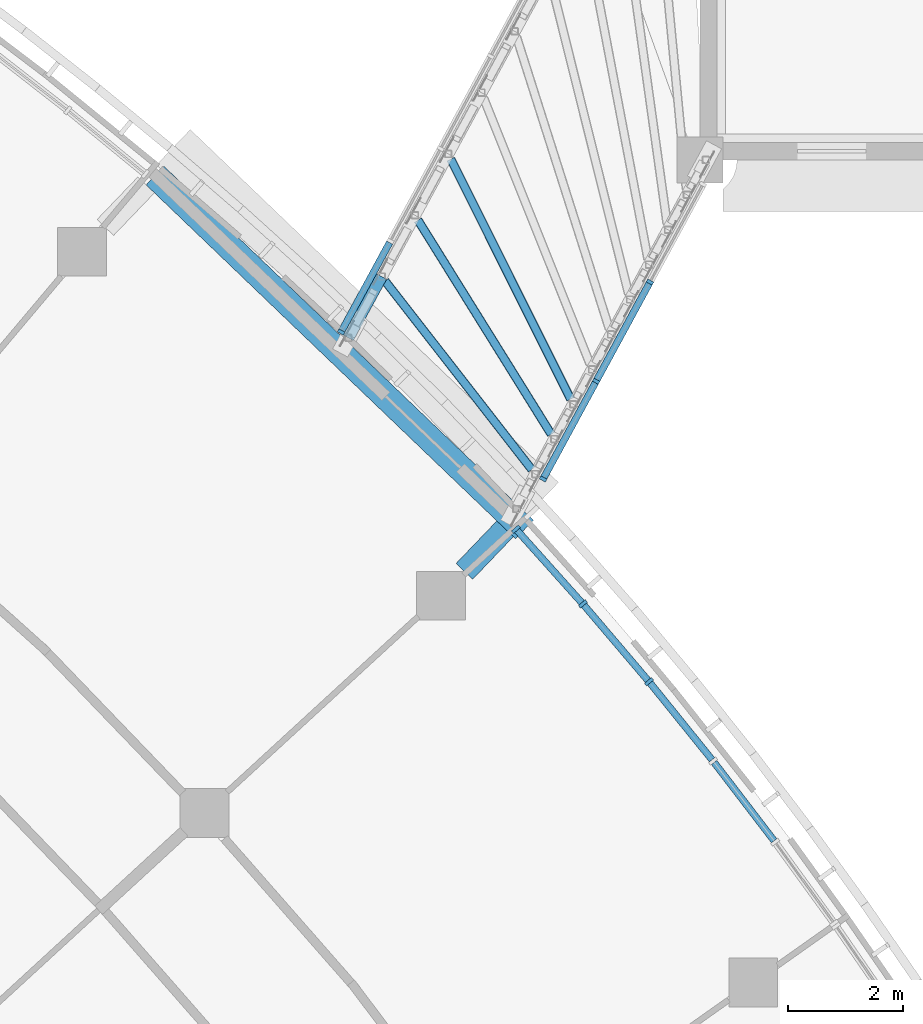
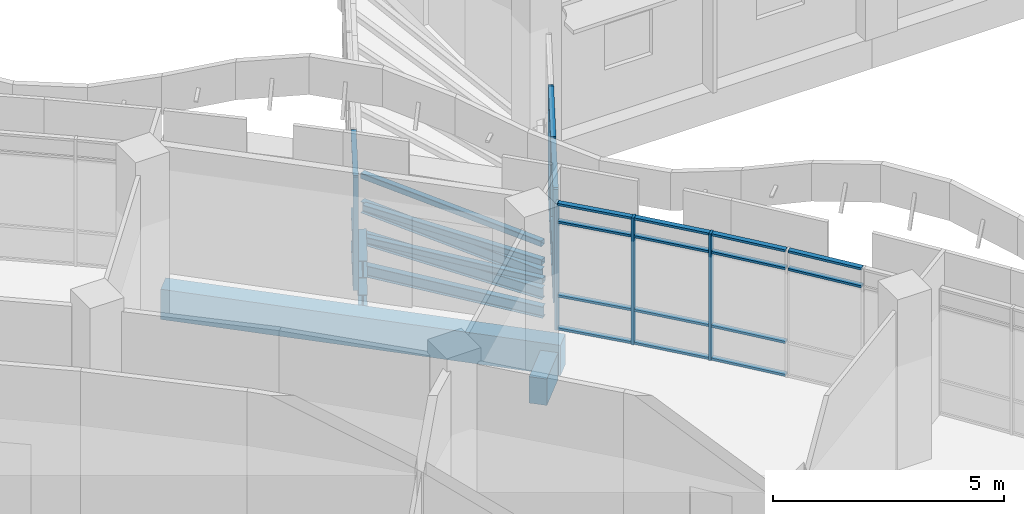
# One storey, part 32 of 136: 38 members, 2 beams, 3 elements without a shape of their own.
"""IFC4 building model written with IfcOpenShell, lengths in metres."""

from ifc_helpers import new_model, si_unit, direction, frame, origin, origin_2d, place, context, subcontext, project, spatial, rectangle, hollow_rectangle, i_section, extrude, material, material_profile, profile_set, type_object, element, aggregate, save


model = new_model("IFC4")

# Units and contexts
model_context = context("Model", 3, precision=1e-05, world=origin(), true_north=direction((0.0, 1.0)))
body_context = subcontext(model_context, "Body", "Model", "MODEL_VIEW")
ifc_project = project(units=[si_unit("LENGTHUNIT", "METRE"), si_unit("AREAUNIT", "SQUARE_METRE"), si_unit("VOLUMEUNIT", "CUBIC_METRE"), si_unit("PLANEANGLEUNIT", "RADIAN"), si_unit("MASSUNIT", "GRAM", prefix="KILO")], contexts=[model_context])

# Site, building, storey
site_placement = place(None, origin())
site = spatial("IfcSite", under=ifc_project, at=site_placement, CompositionType="ELEMENT")
building_placement = place(site_placement, origin())
building = spatial("IfcBuilding", under=site, at=building_placement, Name="Bougainvillea Quay General Hospital", CompositionType="ELEMENT")
storey_placement = place(building_placement, frame((0.0, 0.0, 5.39990234375)))
storey = spatial("IfcBuildingStorey", under=building, at=storey_placement, Name="L01", CompositionType="ELEMENT", Elevation=5.39990234375)

# Curtain wall, member
ifc_material_1 = material(Name="Aluminium curtain wall system, powder-coated glazed", Category="aluminium")
curtain_wall_type = type_object("IfcCurtainWallType", Name="Unitised curtain wall CW-2100", PredefinedType="NOTDEFINED", material=ifc_material_1)
curtain_wall_1_placement = place(storey_placement, origin())
curtain_wall_1 = element("IfcCurtainWall", 1, at=curtain_wall_1_placement, inside=storey, type_object=curtain_wall_type, Name="BG-L L", PredefinedType="NOTDEFINED")
ifc_material_2 = material(Name="Aluminium mullion, powder-coated charcoal", Category="aluminium")
ifc_material_profile_1 = material_profile(ifc_material_2, rectangle(XDim=0.1201171875, YDim=0.06005859375, at=origin_2d()))
ifc_profile_set_1 = profile_set([ifc_material_profile_1], Name="Aluminium mullion, powder-coated charcoal")
member_type_1 = type_object("IfcMemberType", Name="Curtain wall mullion 120x60", PredefinedType="MULLION", material=ifc_profile_set_1)
member_1_placement = place(storey_placement, frame((157.5419921875, 72.597900390625, 0.0), z_axis=(0.0, 0.0, 1.0), x_axis=(-0.878894009781, 0.477017106163, 0.0)))
member_1 = element("IfcMember", 2, at=member_1_placement, type_object=member_type_1, Name="BG-L mullion 1", PredefinedType="MULLION", context=body_context, shape_type="SweptSolid", body=[
    extrude(rectangle(XDim=0.1201171875, YDim=0.06005859375, at=origin_2d()), origin(), (0.0, 0.0, 1.0), 3.0),
])

# Curtain wall, members
curtain_wall_2_placement = place(storey_placement, origin())
curtain_wall_2 = element("IfcCurtainWall", 3, at=curtain_wall_2_placement, inside=storey, type_object=curtain_wall_type, Name="BG-R R", PredefinedType="NOTDEFINED")
member_2_placement = place(storey_placement, frame((162.93017578125, 73.46923828125, 0.0), z_axis=(0.0, 0.0, 1.0), x_axis=(0.878894009781, -0.477017106163, 0.0)))
member_2 = element("IfcMember", 4, at=member_2_placement, type_object=member_type_1, Name="BG-R mullion 2", PredefinedType="MULLION", context=body_context, shape_type="SweptSolid", body=[
    extrude(rectangle(XDim=0.1201171875, YDim=0.06005859375, at=origin_2d()), origin(), (0.0, 0.0, 1.0), 3.0),
])
member_3_placement = place(storey_placement, frame((161.99072265625, 71.738525390625, 0.0), z_axis=(0.0, 0.0, 1.0), x_axis=(0.878894009781, -0.477017106163, 0.0)))
member_3 = element("IfcMember", 5, at=member_3_placement, type_object=member_type_1, Name="BG-R mullion 3", PredefinedType="MULLION", context=body_context, shape_type="SweptSolid", body=[
    extrude(rectangle(XDim=0.1201171875, YDim=0.06005859375, at=origin_2d()), origin(), (0.0, 0.0, 1.0), 3.0),
])
member_4_placement = place(storey_placement, frame((161.065673828125, 70.033935546875, 0.0), z_axis=(0.0, 0.0, 1.0), x_axis=(0.878894009781, -0.477017106163, 0.0)))
member_4 = element("IfcMember", 6, at=member_4_placement, type_object=member_type_1, Name="BG-R mullion 4", PredefinedType="MULLION", context=body_context, shape_type="SweptSolid", body=[
    extrude(rectangle(XDim=0.1201171875, YDim=0.06005859375, at=origin_2d()), origin(), (0.0, 0.0, 1.0), 3.0),
])

curtain_wall_3_placement = place(storey_placement, origin())
curtain_wall_3 = element("IfcCurtainWall", 7, at=curtain_wall_3_placement, inside=storey, type_object=curtain_wall_type, Name="CW-E04 a23b3", PredefinedType="NOTDEFINED")
ifc_material_profile_2 = material_profile(ifc_material_2, rectangle(XDim=0.159912109375, YDim=0.06005859375, at=origin_2d()))
ifc_profile_set_2 = profile_set([ifc_material_profile_2], Name="Aluminium mullion, powder-coated charcoal")
member_type_2 = type_object("IfcMemberType", Name="Curtain wall mullion 160x60", PredefinedType="MULLION", material=ifc_profile_set_2)
member_5_placement = place(storey_placement, frame((160.5927734375, 69.15771484375, 0.0), z_axis=(0.0, 0.0, 1.0), x_axis=(0.745094309044, 0.666959122159, 0.0)))
member_5 = element("IfcMember", 8, at=member_5_placement, type_object=member_type_2, Name="CW-E04 mullion 1", PredefinedType="MULLION", context=body_context, shape_type="SweptSolid", body=[
    extrude(rectangle(XDim=0.159912109375, YDim=0.06005859375, at=origin_2d()), origin(), (0.0, 0.0, 1.0), 3.35009765625),
])
member_6_placement = place(storey_placement, frame((161.760009765625, 67.853759765625, 0.0), z_axis=(0.0, 0.0, 1.0), x_axis=(0.753545034628, 0.657396288997, 0.0)))
member_6 = element("IfcMember", 9, at=member_6_placement, type_object=member_type_2, Name="CW-E04 mullion 2", PredefinedType="MULLION", context=body_context, shape_type="SweptSolid", body=[
    extrude(rectangle(XDim=0.159912109375, YDim=0.06005859375, at=origin_2d()), origin(), (0.0, 0.0, 1.0), 3.35009765625),
])
member_7_placement = place(storey_placement, frame((162.913330078125, 66.497314453125, 0.0), z_axis=(0.0, 0.0, 1.0), x_axis=(0.7700769567, 0.637951001849, 0.0)))
member_7 = element("IfcMember", 10, at=member_7_placement, type_object=member_type_2, Name="CW-E04 mullion 3", PredefinedType="MULLION", context=body_context, shape_type="SweptSolid", body=[
    extrude(rectangle(XDim=0.159912109375, YDim=0.06005859375, at=origin_2d()), origin(), (0.0, 0.0, 1.0), 3.35009765625),
])
ifc_material_3 = material(Name="Aluminium transom, powder-coated charcoal", Category="aluminium")
ifc_material_profile_3 = material_profile(ifc_material_3, rectangle(XDim=0.1201171875, YDim=0.06005859375, at=origin_2d()))
ifc_profile_set_3 = profile_set([ifc_material_profile_3], Name="Aluminium transom, powder-coated charcoal")
member_type_3 = type_object("IfcMemberType", Name="Curtain wall transom 120x60", PredefinedType="USERDEFINED", material=ifc_profile_set_3)
member_8_placement = place(storey_placement, frame((160.61279296875, 69.135498046875, 0.030029296875), z_axis=(0.666879297012, -0.745165755531, 0.0), x_axis=(0.745165755531, 0.666879297012, 0.0)))
member_8 = element("IfcMember", 11, at=member_8_placement, type_object=member_type_3, Name="CW-E04 transom 1.1", ObjectType="TRANSOM", PredefinedType="USERDEFINED", context=body_context, shape_type="SweptSolid", body=[
    extrude(rectangle(XDim=0.1201171875, YDim=0.06005859375, at=origin_2d()), origin(), (0.0, 0.0, 1.0), 1.690185546875),
])
member_9_placement = place(storey_placement, frame((160.61279296875, 69.135498046875, 0.900146484375), z_axis=(0.666879297012, -0.745165755531, 0.0), x_axis=(0.745165755531, 0.666879297012, 0.0)))
member_9 = element("IfcMember", 12, at=member_9_placement, type_object=member_type_3, Name="CW-E04 transom 1.2", ObjectType="TRANSOM", PredefinedType="USERDEFINED", context=body_context, shape_type="SweptSolid", body=[
    extrude(rectangle(XDim=0.1201171875, YDim=0.06005859375, at=origin_2d()), origin(), (0.0, 0.0, 1.0), 1.690185546875),
])
member_10_placement = place(storey_placement, frame((160.61279296875, 69.135498046875, 2.85009765625), z_axis=(0.666879297012, -0.745165755531, 0.0), x_axis=(0.745165755531, 0.666879297012, 0.0)))
member_10 = element("IfcMember", 13, at=member_10_placement, type_object=member_type_3, Name="CW-E04 transom 1.3", ObjectType="TRANSOM", PredefinedType="USERDEFINED", context=body_context, shape_type="SweptSolid", body=[
    extrude(rectangle(XDim=0.1201171875, YDim=0.06005859375, at=origin_2d()), origin(), (0.0, 0.0, 1.0), 1.690185546875),
])
member_11_placement = place(storey_placement, frame((160.61279296875, 69.135498046875, 3.320068359375), z_axis=(0.666879297012, -0.745165755531, 0.0), x_axis=(0.745165755531, 0.666879297012, 0.0)))
member_11 = element("IfcMember", 14, at=member_11_placement, type_object=member_type_3, Name="CW-E04 transom 1.4", ObjectType="TRANSOM", PredefinedType="USERDEFINED", context=body_context, shape_type="SweptSolid", body=[
    extrude(rectangle(XDim=0.1201171875, YDim=0.06005859375, at=origin_2d()), origin(), (0.0, 0.0, 1.0), 1.690185546875),
])
member_12_placement = place(storey_placement, frame((161.779541015625, 67.830810546875, 0.030029296875), z_axis=(0.647747288615, -0.761855268468, 0.0), x_axis=(0.761855268468, 0.647747288615, 0.0)))
member_12 = element("IfcMember", 15, at=member_12_placement, type_object=member_type_3, Name="CW-E04 transom 2.1", ObjectType="TRANSOM", PredefinedType="USERDEFINED", context=body_context, shape_type="SweptSolid", body=[
    extrude(rectangle(XDim=0.1201171875, YDim=0.06005859375, at=origin_2d()), origin(), (0.0, 0.0, 1.0), 1.72021484375),
])
member_13_placement = place(storey_placement, frame((161.779541015625, 67.830810546875, 0.900146484375), z_axis=(0.647747288615, -0.761855268468, 0.0), x_axis=(0.761855268468, 0.647747288615, 0.0)))
member_13 = element("IfcMember", 16, at=member_13_placement, type_object=member_type_3, Name="CW-E04 transom 2.2", ObjectType="TRANSOM", PredefinedType="USERDEFINED", context=body_context, shape_type="SweptSolid", body=[
    extrude(rectangle(XDim=0.1201171875, YDim=0.06005859375, at=origin_2d()), origin(), (0.0, 0.0, 1.0), 1.72021484375),
])
member_14_placement = place(storey_placement, frame((161.779541015625, 67.830810546875, 2.85009765625), z_axis=(0.647747288615, -0.761855268468, 0.0), x_axis=(0.761855268468, 0.647747288615, 0.0)))
member_14 = element("IfcMember", 17, at=member_14_placement, type_object=member_type_3, Name="CW-E04 transom 2.3", ObjectType="TRANSOM", PredefinedType="USERDEFINED", context=body_context, shape_type="SweptSolid", body=[
    extrude(rectangle(XDim=0.1201171875, YDim=0.06005859375, at=origin_2d()), origin(), (0.0, 0.0, 1.0), 1.72021484375),
])
member_15_placement = place(storey_placement, frame((161.779541015625, 67.830810546875, 3.320068359375), z_axis=(0.647747288615, -0.761855268468, 0.0), x_axis=(0.761855268468, 0.647747288615, 0.0)))
member_15 = element("IfcMember", 18, at=member_15_placement, type_object=member_type_3, Name="CW-E04 transom 2.4", ObjectType="TRANSOM", PredefinedType="USERDEFINED", context=body_context, shape_type="SweptSolid", body=[
    extrude(rectangle(XDim=0.1201171875, YDim=0.06005859375, at=origin_2d()), origin(), (0.0, 0.0, 1.0), 1.72021484375),
])
member_16_placement = place(storey_placement, frame((162.93212890625, 66.47412109375, 0.030029296875), z_axis=(0.628029823491, -0.778189270554, 0.0), x_axis=(0.778189270554, 0.628029823491, 0.0)))
member_16 = element("IfcMember", 19, at=member_16_placement, type_object=member_type_3, Name="CW-E04 transom 3.1", ObjectType="TRANSOM", PredefinedType="USERDEFINED", context=body_context, shape_type="SweptSolid", body=[
    extrude(rectangle(XDim=0.1201171875, YDim=0.06005859375, at=origin_2d()), origin(), (0.0, 0.0, 1.0), 1.72021484375),
])
member_17_placement = place(storey_placement, frame((162.93212890625, 66.47412109375, 0.900146484375), z_axis=(0.628029823491, -0.778189270554, 0.0), x_axis=(0.778189270554, 0.628029823491, 0.0)))
member_17 = element("IfcMember", 20, at=member_17_placement, type_object=member_type_3, Name="CW-E04 transom 3.2", ObjectType="TRANSOM", PredefinedType="USERDEFINED", context=body_context, shape_type="SweptSolid", body=[
    extrude(rectangle(XDim=0.1201171875, YDim=0.06005859375, at=origin_2d()), origin(), (0.0, 0.0, 1.0), 1.72021484375),
])
member_18_placement = place(storey_placement, frame((162.93212890625, 66.47412109375, 2.85009765625), z_axis=(0.628029823491, -0.778189270554, 0.0), x_axis=(0.778189270554, 0.628029823491, 0.0)))
member_18 = element("IfcMember", 21, at=member_18_placement, type_object=member_type_3, Name="CW-E04 transom 3.3", ObjectType="TRANSOM", PredefinedType="USERDEFINED", context=body_context, shape_type="SweptSolid", body=[
    extrude(rectangle(XDim=0.1201171875, YDim=0.06005859375, at=origin_2d()), origin(), (0.0, 0.0, 1.0), 1.72021484375),
])
member_19_placement = place(storey_placement, frame((162.93212890625, 66.47412109375, 3.320068359375), z_axis=(0.628029823491, -0.778189270554, 0.0), x_axis=(0.778189270554, 0.628029823491, 0.0)))
member_19 = element("IfcMember", 22, at=member_19_placement, type_object=member_type_3, Name="CW-E04 transom 3.4", ObjectType="TRANSOM", PredefinedType="USERDEFINED", context=body_context, shape_type="SweptSolid", body=[
    extrude(rectangle(XDim=0.1201171875, YDim=0.06005859375, at=origin_2d()), origin(), (0.0, 0.0, 1.0), 1.72021484375),
])
member_20_placement = place(storey_placement, frame((164.049560546875, 65.08837890625, 2.85009765625), z_axis=(0.607939858347, -0.793983078304, 0.0), x_axis=(0.793983078304, 0.607939858347, 0.0)))
member_20 = element("IfcMember", 23, at=member_20_placement, type_object=member_type_3, Name="CW-E04 transom 4.3", ObjectType="TRANSOM", PredefinedType="USERDEFINED", context=body_context, shape_type="SweptSolid", body=[
    extrude(rectangle(XDim=0.1201171875, YDim=0.06005859375, at=origin_2d()), origin(), (0.0, 0.0, 1.0), 1.720458984375),
])
member_21_placement = place(storey_placement, frame((164.049560546875, 65.08837890625, 3.320068359375), z_axis=(0.607939858347, -0.793983078304, 0.0), x_axis=(0.793983078304, 0.607939858347, 0.0)))
member_21 = element("IfcMember", 24, at=member_21_placement, type_object=member_type_3, Name="CW-E04 transom 4.4", ObjectType="TRANSOM", PredefinedType="USERDEFINED", context=body_context, shape_type="SweptSolid", body=[
    extrude(rectangle(XDim=0.1201171875, YDim=0.06005859375, at=origin_2d()), origin(), (0.0, 0.0, 1.0), 1.720458984375),
])
aggregate(curtain_wall_3, [member_5, member_6, member_7, member_8, member_9, member_10, member_11, member_12, member_13, member_14, member_15, member_16, member_17, member_18, member_19, member_20, member_21])

# Member
member_22_placement = place(storey_placement, frame((157.556396484375, 72.624267578125, 0.030029296875), z_axis=(0.47697754672, 0.878915479398, 0.0), x_axis=(-0.878915479398, 0.47697754672, 0.0)))
member_22 = element("IfcMember", 25, at=member_22_placement, type_object=member_type_3, Name="BG-L transom 1.1", ObjectType="TRANSOM", PredefinedType="USERDEFINED", context=body_context, shape_type="SweptSolid", body=[
    extrude(rectangle(XDim=0.1201171875, YDim=0.06005859375, at=origin_2d()), origin(), (0.0, 0.0, 1.0), 1.743896484375),
])

member_23_placement = place(storey_placement, frame((157.556396484375, 72.624267578125, 0.900146484375), z_axis=(0.47697754672, 0.878915479398, 0.0), x_axis=(-0.878915479398, 0.47697754672, 0.0)))
member_23 = element("IfcMember", 26, at=member_23_placement, type_object=member_type_3, Name="BG-L transom 1.2", ObjectType="TRANSOM", PredefinedType="USERDEFINED", context=body_context, shape_type="SweptSolid", body=[
    extrude(rectangle(XDim=0.1201171875, YDim=0.06005859375, at=origin_2d()), origin(), (0.0, 0.0, 1.0), 1.743896484375),
])

member_24_placement = place(storey_placement, frame((157.556396484375, 72.624267578125, 2.97021484375), z_axis=(0.47697754672, 0.878915479398, 0.0), x_axis=(-0.878915479398, 0.47697754672, 0.0)))
member_24 = element("IfcMember", 27, at=member_24_placement, type_object=member_type_3, Name="BG-L transom 1.3", ObjectType="TRANSOM", PredefinedType="USERDEFINED", context=body_context, shape_type="SweptSolid", body=[
    extrude(rectangle(XDim=0.1201171875, YDim=0.06005859375, at=origin_2d()), origin(), (0.0, 0.0, 1.0), 1.743896484375),
])

aggregate(curtain_wall_1, [member_1, member_22, member_23, member_24])

member_25_placement = place(storey_placement, frame((162.915771484375, 73.44287109375, 0.030029296875), z_axis=(-0.476987444102, -0.878910108127, 0.0), x_axis=(0.878910108127, -0.476987444102, 0.0)))
member_25 = element("IfcMember", 28, at=member_25_placement, type_object=member_type_3, Name="BG-R transom 2.1", ObjectType="TRANSOM", PredefinedType="USERDEFINED", context=body_context, shape_type="SweptSolid", body=[
    extrude(rectangle(XDim=0.1201171875, YDim=0.06005859375, at=origin_2d()), origin(), (0.0, 0.0, 1.0), 1.9091796875),
])

member_26_placement = place(storey_placement, frame((162.915771484375, 73.44287109375, 0.900146484375), z_axis=(-0.476987444102, -0.878910108127, 0.0), x_axis=(0.878910108127, -0.476987444102, 0.0)))
member_26 = element("IfcMember", 29, at=member_26_placement, type_object=member_type_3, Name="BG-R transom 2.2", ObjectType="TRANSOM", PredefinedType="USERDEFINED", context=body_context, shape_type="SweptSolid", body=[
    extrude(rectangle(XDim=0.1201171875, YDim=0.06005859375, at=origin_2d()), origin(), (0.0, 0.0, 1.0), 1.9091796875),
])

member_27_placement = place(storey_placement, frame((162.915771484375, 73.44287109375, 2.97021484375), z_axis=(-0.476987444102, -0.878910108127, 0.0), x_axis=(0.878910108127, -0.476987444102, 0.0)))
member_27 = element("IfcMember", 30, at=member_27_placement, type_object=member_type_3, Name="BG-R transom 2.3", ObjectType="TRANSOM", PredefinedType="USERDEFINED", context=body_context, shape_type="SweptSolid", body=[
    extrude(rectangle(XDim=0.1201171875, YDim=0.06005859375, at=origin_2d()), origin(), (0.0, 0.0, 1.0), 1.9091796875),
])

member_28_placement = place(storey_placement, frame((161.9765625, 71.712158203125, 0.030029296875), z_axis=(-0.476994393693, -0.878906336526, 0.0), x_axis=(0.878906336526, -0.476994393693, 0.0)))
member_28 = element("IfcMember", 31, at=member_28_placement, type_object=member_type_3, Name="BG-R transom 3.1", ObjectType="TRANSOM", PredefinedType="USERDEFINED", context=body_context, shape_type="SweptSolid", body=[
    extrude(rectangle(XDim=0.1201171875, YDim=0.06005859375, at=origin_2d()), origin(), (0.0, 0.0, 1.0), 1.87939453125),
])

member_29_placement = place(storey_placement, frame((161.9765625, 71.712158203125, 0.900146484375), z_axis=(-0.476994393693, -0.878906336526, 0.0), x_axis=(0.878906336526, -0.476994393693, 0.0)))
member_29 = element("IfcMember", 32, at=member_29_placement, type_object=member_type_3, Name="BG-R transom 3.2", ObjectType="TRANSOM", PredefinedType="USERDEFINED", context=body_context, shape_type="SweptSolid", body=[
    extrude(rectangle(XDim=0.1201171875, YDim=0.06005859375, at=origin_2d()), origin(), (0.0, 0.0, 1.0), 1.87939453125),
])

member_30_placement = place(storey_placement, frame((161.9765625, 71.712158203125, 2.97021484375), z_axis=(-0.476994393693, -0.878906336526, 0.0), x_axis=(0.878906336526, -0.476994393693, 0.0)))
member_30 = element("IfcMember", 33, at=member_30_placement, type_object=member_type_3, Name="BG-R transom 3.3", ObjectType="TRANSOM", PredefinedType="USERDEFINED", context=body_context, shape_type="SweptSolid", body=[
    extrude(rectangle(XDim=0.1201171875, YDim=0.06005859375, at=origin_2d()), origin(), (0.0, 0.0, 1.0), 1.87939453125),
])

aggregate(curtain_wall_2, [member_2, member_3, member_4, member_25, member_26, member_27, member_28, member_29, member_30])

# Members
ifc_material_4 = material(Name="Steel Q355", Category="steel")
ifc_material_profile_4 = material_profile(ifc_material_4, i_section(OverallWidth=0.14990234375, OverallDepth=0.300048828125, WebThickness=0.006591796875, FlangeThickness=0.009033203125, FilletRadius=0.012939453125, at=origin_2d()))
ifc_profile_set_4 = profile_set([ifc_material_profile_4], Name="Steel Q355")
member_type_4 = type_object("IfcMemberType", Name="HN 300x150x6.5x9 Q355 STRUT", PredefinedType="STRUT", material=ifc_profile_set_4)
member_31_placement = place(storey_placement, frame((158.310302734375, 73.48583984375, -0.27001953125), z_axis=(0.614102901802, -0.789225966374, 0.0), x_axis=(0.789225966374, 0.614102901802, 0.0)))
element("IfcMember", 34, at=member_31_placement, inside=storey, type_object=member_type_4, Name="Bridge floor beam", PredefinedType="STRUT", context=body_context, shape_type="SweptSolid", body=[
    extrude(i_section(OverallWidth=0.14990234375, OverallDepth=0.300048828125, WebThickness=0.006591796875, FlangeThickness=0.009033203125, FilletRadius=0.012939453125, at=origin_2d()), origin(), (0.0, 0.0, 1.0), 4.16552734375),
])
member_32_placement = place(storey_placement, frame((158.882080078125, 74.54931640625, -0.27001953125), z_axis=(0.528402307426, -0.848994111585, 0.0), x_axis=(0.848994111585, 0.528402307426, 0.0)))
element("IfcMember", 35, at=member_32_placement, inside=storey, type_object=member_type_4, Name="Bridge floor beam", PredefinedType="STRUT", context=body_context, shape_type="SweptSolid", body=[
    extrude(i_section(OverallWidth=0.14990234375, OverallDepth=0.300048828125, WebThickness=0.006591796875, FlangeThickness=0.009033203125, FilletRadius=0.012939453125, at=origin_2d()), origin(), (0.0, 0.0, 1.0), 4.40087890625),
])
member_33_placement = place(storey_placement, frame((159.45458984375, 75.614501953125, -0.27001953125), z_axis=(0.446838061921, -0.894614859266, 0.0), x_axis=(0.894614859266, 0.446838061921, 0.0)))
element("IfcMember", 36, at=member_33_placement, inside=storey, type_object=member_type_4, Name="Bridge floor beam", PredefinedType="STRUT", context=body_context, shape_type="SweptSolid", body=[
    extrude(i_section(OverallWidth=0.14990234375, OverallDepth=0.300048828125, WebThickness=0.006591796875, FlangeThickness=0.009033203125, FilletRadius=0.012939453125, at=origin_2d()), origin(), (0.0, 0.0, 1.0), 4.681396484375),
])
ifc_material_profile_5 = material_profile(ifc_material_4, i_section(OverallWidth=0.199951171875, OverallDepth=0.449951171875, WebThickness=0.009033203125, FlangeThickness=0.013916015625, FilletRadius=0.012939453125, at=origin_2d()))
ifc_profile_set_5 = profile_set([ifc_material_profile_5], Name="Steel Q355")
member_type_5 = type_object("IfcMemberType", Name="HN 450x200x9x14 Q355 CHORD", PredefinedType="CHORD", material=ifc_profile_set_5)
for number, where, z_axis, x_axis, name in (
    (37, (157.668212890625, 72.4951171875, -0.344970703125), (0.477052018567, 0.878875060279, 0.0), (-0.878875060279, 0.477052018567, 0.0), "Bottom chord"),
    (38, (157.668212890625, 72.4951171875, 0.55517578125), (0.477052018567, 0.878875060279, 0.0), (-0.878875060279, 0.477052018567, 0.0), "Top chord"),
):
    element("IfcMember", number, at=place(storey_placement, frame(where, z_axis=z_axis, x_axis=x_axis)), inside=storey, type_object=member_type_5, Name=name, PredefinedType="CHORD", context=body_context, shape_type="SweptSolid", body=[
        extrude(i_section(OverallWidth=0.199951171875, OverallDepth=0.449951171875, WebThickness=0.009033203125, FlangeThickness=0.013916015625, FilletRadius=0.012939453125, at=origin_2d()), origin(), (0.0, 0.0, 1.0), 1.217041015625),
    ])

# Beams
ifc_material_5 = material(Name="Concrete C40", Category="concrete")
ifc_material_profile_6 = material_profile(ifc_material_5, rectangle(XDim=0.39990234375, YDim=0.699951171875, at=origin_2d()))
ifc_profile_set_6 = profile_set([ifc_material_profile_6], Name="Concrete C40")
beam_type_1 = type_object("IfcBeamType", Name="RC BEAM 400x700 C40", PredefinedType="BEAM", material=ifc_profile_set_6)
beam_1_placement = place(storey_placement, frame((159.691162109375, 68.4208984375, -0.89990234375), z_axis=(0.691874431959, 0.722017846318, 0.0), x_axis=(-0.722017846318, 0.691874431959, 0.0)))
element("IfcBeam", 39, at=beam_1_placement, inside=storey, type_object=beam_type_1, Name="Landing stub beam", PredefinedType="BEAM", context=body_context, shape_type="SweptSolid", body=[
    extrude(rectangle(XDim=0.39990234375, YDim=0.699951171875, at=origin_2d()), origin(), (0.0, 0.0, 1.0), 1.028564453125),
])
ifc_material_profile_7 = material_profile(ifc_material_5, rectangle(XDim=0.449951171875, YDim=0.800048828125, at=origin_2d()))
ifc_profile_set_7 = profile_set([ifc_material_profile_7], Name="Concrete C40")
beam_type_2 = type_object("IfcBeamType", Name="RC BEAM 450x800 C40", PredefinedType="BEAM", material=ifc_profile_set_7)
beam_2_placement = place(storey_placement, frame((154.29638671875, 75.326171875, -0.75), z_axis=(0.722045710846, -0.691845352264, 0.0), x_axis=(0.691845352264, 0.722045710846, 0.0)))
element("IfcBeam", 40, at=beam_2_placement, inside=storey, type_object=beam_type_2, Name="Edge beam L01", PredefinedType="BEAM", context=body_context, shape_type="SweptSolid", body=[
    extrude(rectangle(XDim=0.449951171875, YDim=0.800048828125, at=origin_2d()), origin(), (0.0, 0.0, 1.0), 8.9248046875),
])

# Members
ifc_material_profile_8 = material_profile(ifc_material_4, hollow_rectangle(XDim=0.14990234375, YDim=0.14990234375, WallThickness=0.008056640625, InnerFilletRadius=0.008056640625, OuterFilletRadius=0.01611328125, at=origin_2d()))
ifc_profile_set_8 = profile_set([ifc_material_profile_8], Name="Steel Q355")
member_type_6 = type_object("IfcMemberType", Name="SHS 150x150x8 Q355 STRUT", PredefinedType="STRUT", material=ifc_profile_set_8)
member_34_placement = place(storey_placement, frame((158.310302734375, 73.48583984375, 0.55517578125), z_axis=(0.614102901802, -0.789225966374, 0.0), x_axis=(0.789225966374, 0.614102901802, 0.0)))
element("IfcMember", 41, at=member_34_placement, inside=storey, type_object=member_type_6, Name="Top strut", PredefinedType="STRUT", context=body_context, shape_type="SweptSolid", body=[
    extrude(hollow_rectangle(XDim=0.14990234375, YDim=0.14990234375, WallThickness=0.008056640625, InnerFilletRadius=0.008056640625, OuterFilletRadius=0.01611328125, at=origin_2d()), origin(), (0.0, 0.0, 1.0), 4.16552734375),
])
member_35_placement = place(storey_placement, frame((158.882080078125, 74.54931640625, 0.55517578125), z_axis=(0.528402307426, -0.848994111585, 0.0), x_axis=(0.848994111585, 0.528402307426, 0.0)))
element("IfcMember", 42, at=member_35_placement, inside=storey, type_object=member_type_6, Name="Top strut", PredefinedType="STRUT", context=body_context, shape_type="SweptSolid", body=[
    extrude(hollow_rectangle(XDim=0.14990234375, YDim=0.14990234375, WallThickness=0.008056640625, InnerFilletRadius=0.008056640625, OuterFilletRadius=0.01611328125, at=origin_2d()), origin(), (0.0, 0.0, 1.0), 4.40087890625),
])
member_36_placement = place(storey_placement, frame((159.45458984375, 75.614501953125, 0.55517578125), z_axis=(0.446838061921, -0.894614859266, 0.0), x_axis=(0.894614859266, 0.446838061921, 0.0)))
element("IfcMember", 43, at=member_36_placement, inside=storey, type_object=member_type_6, Name="Top strut", PredefinedType="STRUT", context=body_context, shape_type="SweptSolid", body=[
    extrude(hollow_rectangle(XDim=0.14990234375, YDim=0.14990234375, WallThickness=0.008056640625, InnerFilletRadius=0.008056640625, OuterFilletRadius=0.01611328125, at=origin_2d()), origin(), (0.0, 0.0, 1.0), 4.681396484375),
])

save(model, "model.ifc")
